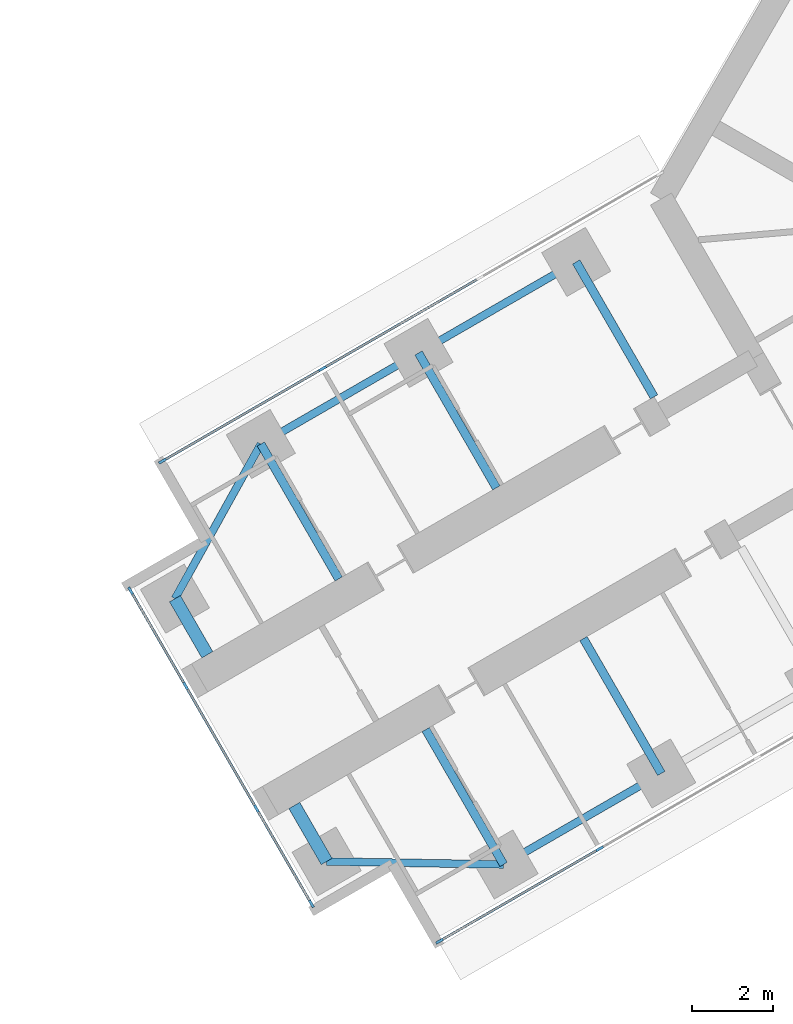
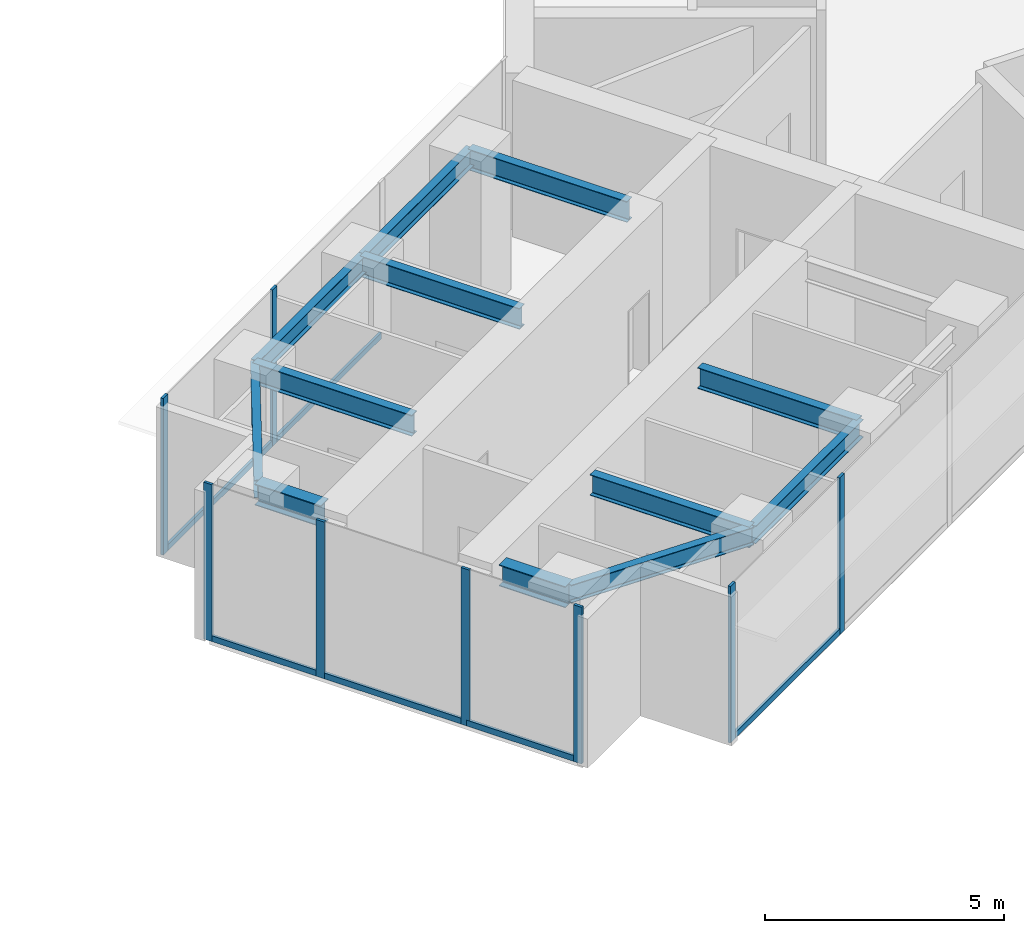
# One storey, part 3 of 23: 14 members, 12 beams, 3 elements without a shape of their own.
"""IFC4 building model written with IfcOpenShell, lengths in metres."""

from ifc_helpers import new_model, si_unit, direction, frame, origin, origin_2d, place, context, subcontext, project, spatial, rectangle, i_section, extrude, material, material_profile, profile_set, type_object, element, aggregate, save


model = new_model("IFC4")

# Units and contexts
model_context = context("Model", 3, precision=1e-05, world=origin(), true_north=direction((0.0, 1.0)))
body_context = subcontext(model_context, "Body", "Model", "MODEL_VIEW")
ifc_project = project(units=[si_unit("LENGTHUNIT", "METRE"), si_unit("AREAUNIT", "SQUARE_METRE"), si_unit("VOLUMEUNIT", "CUBIC_METRE"), si_unit("PLANEANGLEUNIT", "RADIAN"), si_unit("MASSUNIT", "GRAM", prefix="KILO")], contexts=[model_context])

# Site, building, storey
site_placement = place(None, origin())
site = spatial("IfcSite", under=ifc_project, at=site_placement, CompositionType="ELEMENT")
building_placement = place(site_placement, origin())
building = spatial("IfcBuilding", under=site, at=building_placement, Name="Upepo Twin Towers", CompositionType="ELEMENT")
storey_placement = place(building_placement, frame((0.0, 0.0, 157.5)))
storey = spatial("IfcBuildingStorey", under=building, at=storey_placement, Name="L38", CompositionType="ELEMENT", Elevation=157.5)

# Beams
ifc_material_1 = material(Name="Steel S355", Category="steel")
ifc_material_profile_1 = material_profile(ifc_material_1, i_section(OverallWidth=0.1904296875, OverallDepth=0.45703125, WebThickness=0.009033203125, FlangeThickness=0.014404296875, FilletRadius=0.01025390625, at=origin_2d()), Name="UB 457x191x74")
ifc_profile_set_1 = profile_set([ifc_material_profile_1], Name="Steel S355")
beam_type_1 = type_object("IfcBeamType", Name="Beam UB 457x191x74", PredefinedType="BEAM", material=ifc_profile_set_1)
beam_1_placement = place(storey_placement, frame((45.91162109375, -32.196044921875, 3.571533203125), z_axis=(-0.866031096941, -0.499990139034, 0.0), x_axis=(0.499990139034, -0.866031096941, 0.0)))
element("IfcBeam", 1, at=beam_1_placement, inside=storey, type_object=beam_type_1, Name="T2 edge beam BL 18.0-22.5", PredefinedType="BEAM", context=body_context, shape_type="SweptSolid", body=[
    extrude(i_section(OverallWidth=0.1904296875, OverallDepth=0.45703125, WebThickness=0.009033203125, FlangeThickness=0.014404296875, FilletRadius=0.01025390625, at=origin_2d()), origin(), (0.0, 0.0, 1.0), 4.5),
])
beam_2_placement = place(storey_placement, frame((42.014404296875, -34.446044921875, 3.571533203125), z_axis=(-0.999858804832, 0.016803880528, 0.0), x_axis=(-0.016803880528, -0.999858804832, 0.0)))
element("IfcBeam", 2, at=beam_2_placement, inside=storey, type_object=beam_type_1, Name="T2 nose edge beam BL", PredefinedType="BEAM", context=body_context, shape_type="SweptSolid", body=[
    extrude(i_section(OverallWidth=0.1904296875, OverallDepth=0.45703125, WebThickness=0.009033203125, FlangeThickness=0.014404296875, FilletRadius=0.01025390625, at=origin_2d()), origin(), (0.0, 0.0, 1.0), 4.373291015625),
])
beam_3_placement = place(storey_placement, frame((43.80859375, -19.553955078125, 3.571533203125), z_axis=(-0.866017533419, -0.500013631625, 0.0), x_axis=(0.500013631625, -0.866017533419, 0.0)))
element("IfcBeam", 3, at=beam_3_placement, inside=storey, type_object=beam_type_1, Name="T2 edge beam BR 13.5-18.0", PredefinedType="BEAM", context=body_context, shape_type="SweptSolid", body=[
    extrude(i_section(OverallWidth=0.1904296875, OverallDepth=0.45703125, WebThickness=0.009033203125, FlangeThickness=0.014404296875, FilletRadius=0.01025390625, at=origin_2d()), origin(), (0.0, 0.0, 1.0), 4.499755859375),
])
beam_4_placement = place(storey_placement, frame((39.91162109375, -21.803955078125, 3.571533203125), z_axis=(-0.866031096941, -0.499990139034, 0.0), x_axis=(0.499990139034, -0.866031096941, 0.0)))
element("IfcBeam", 4, at=beam_4_placement, inside=storey, type_object=beam_type_1, Name="T2 edge beam BR 18.0-22.5", PredefinedType="BEAM", context=body_context, shape_type="SweptSolid", body=[
    extrude(i_section(OverallWidth=0.1904296875, OverallDepth=0.45703125, WebThickness=0.009033203125, FlangeThickness=0.014404296875, FilletRadius=0.01025390625, at=origin_2d()), origin(), (0.0, 0.0, 1.0), 4.5),
])
beam_5_placement = place(storey_placement, frame((36.014404296875, -24.053955078125, 3.571533203125), z_axis=(-0.485363242752, -0.874312600038, 0.0), x_axis=(0.874312600038, -0.485363242752, 0.0)))
element("IfcBeam", 5, at=beam_5_placement, inside=storey, type_object=beam_type_1, Name="T2 nose edge beam BR", PredefinedType="BEAM", context=body_context, shape_type="SweptSolid", body=[
    extrude(i_section(OverallWidth=0.1904296875, OverallDepth=0.45703125, WebThickness=0.009033203125, FlangeThickness=0.014404296875, FilletRadius=0.01025390625, at=origin_2d()), origin(), (0.0, 0.0, 1.0), 4.373046875),
])
ifc_material_2 = material(Name="Steel S355", Category="steel")
ifc_material_profile_2 = material_profile(ifc_material_2, i_section(OverallWidth=0.209228515625, OverallDepth=0.533203125, WebThickness=0.010009765625, FlangeThickness=0.015625, FilletRadius=0.0126953125, at=origin_2d()), Name="UB 533x210x92")
ifc_profile_set_2 = profile_set([ifc_material_profile_2], Name="Steel S355")
beam_type_2 = type_object("IfcBeamType", Name="Beam UB 533x210x92", PredefinedType="BEAM", material=ifc_profile_set_2)
for number, where, z_axis, x_axis, name in (
    (6, (45.91162109375, -32.196044921875, 3.533447265625), (-0.500033517596, 0.866006051527, 0.0), (-0.866006051527, -0.500033517596, 0.0), "T2 girder BL at 18.0"),
    (7, (42.014404296875, -34.446044921875, 3.533447265625), (-0.500033517596, 0.866006051527, 0.0), (-0.866006051527, -0.500033517596, 0.0), "T2 girder BL at 22.5"),
    (8, (43.80859375, -19.553955078125, 3.533447265625), (0.500033517596, -0.866006051527, 0.0), (0.866006051527, 0.500033517596, 0.0), "T2 girder BR at 13.5"),
):
    element("IfcBeam", number, at=place(storey_placement, frame(where, z_axis=z_axis, x_axis=x_axis)), inside=storey, type_object=beam_type_2, Name=name, PredefinedType="BEAM", context=body_context, shape_type="SweptSolid", body=[
        extrude(i_section(OverallWidth=0.209228515625, OverallDepth=0.533203125, WebThickness=0.010009765625, FlangeThickness=0.015625, FilletRadius=0.0126953125, at=origin_2d()), origin(), (0.0, 0.0, 1.0), 3.849853515625),
    ])
beam_6_placement = place(storey_placement, frame((39.91162109375, -21.803955078125, 3.533447265625), z_axis=(0.499985955615, -0.866033512162, 0.0), x_axis=(0.866033512162, 0.499985955615, 0.0)))
element("IfcBeam", 9, at=beam_6_placement, inside=storey, type_object=beam_type_2, Name="T2 girder BR at 18.0", PredefinedType="BEAM", context=body_context, shape_type="SweptSolid", body=[
    extrude(i_section(OverallWidth=0.209228515625, OverallDepth=0.533203125, WebThickness=0.010009765625, FlangeThickness=0.015625, FilletRadius=0.0126953125, at=origin_2d()), origin(), (0.0, 0.0, 1.0), 3.849609375),
])
beam_7_placement = place(storey_placement, frame((36.014404296875, -24.053955078125, 3.533447265625), z_axis=(0.500033517596, -0.866006051527, 0.0), x_axis=(0.866006051527, 0.500033517596, 0.0)))
element("IfcBeam", 10, at=beam_7_placement, inside=storey, type_object=beam_type_2, Name="T2 girder BR at 22.5", PredefinedType="BEAM", context=body_context, shape_type="SweptSolid", body=[
    extrude(i_section(OverallWidth=0.209228515625, OverallDepth=0.533203125, WebThickness=0.010009765625, FlangeThickness=0.015625, FilletRadius=0.0126953125, at=origin_2d()), origin(), (0.0, 0.0, 1.0), 3.849853515625),
])
ifc_material_3 = material(Name="Steel S355", Category="steel")
ifc_material_profile_3 = material_profile(ifc_material_3, i_section(OverallWidth=0.31201171875, OverallDepth=0.54345703125, WebThickness=0.0126953125, FlangeThickness=0.020263671875, FilletRadius=0.0126953125, at=origin_2d()), Name="UB 533x312x150")
ifc_profile_set_3 = profile_set([ifc_material_profile_3], Name="Steel S355")
beam_type_3 = type_object("IfcBeamType", Name="Beam UB 533x312x150", PredefinedType="BEAM", material=ifc_profile_set_3)
for number, where, z_axis, x_axis, name in (
    (11, (37.641845703125, -34.37255859375, 3.5283203125), (-0.500061482766, 0.865989903783, 0.0), (-0.865989903783, -0.500061482766, 0.0), "T2 nose beam BL"),
    (12, (33.891845703125, -27.87744140625, 3.5283203125), (0.500061482766, -0.865989903783, 0.0), (0.865989903783, 0.500061482766, 0.0), "T2 nose beam BR"),
):
    element("IfcBeam", number, at=place(storey_placement, frame(where, z_axis=z_axis, x_axis=x_axis)), inside=storey, type_object=beam_type_3, Name=name, PredefinedType="BEAM", context=body_context, shape_type="SweptSolid", body=[
        extrude(i_section(OverallWidth=0.31201171875, OverallDepth=0.54345703125, WebThickness=0.0126953125, FlangeThickness=0.020263671875, FilletRadius=0.0126953125, at=origin_2d()), origin(), (0.0, 0.0, 1.0), 1.599853515625),
    ])

# Curtain wall, members
ifc_material_4 = material(Name="Aluminium and fritted glass", Category="aluminium")
curtain_wall_type = type_object("IfcCurtainWallType", Name="Tower curtain wall TW2, fritted glass", PredefinedType="NOTDEFINED", material=ifc_material_4)
curtain_wall_1_placement = place(storey_placement, origin())
curtain_wall_1 = element("IfcCurtainWall", 13, at=curtain_wall_1_placement, inside=storey, type_object=curtain_wall_type, Name="T2 L38 wing B flank L curtain wall", PredefinedType="NOTDEFINED")
ifc_material_5 = material(Name="Aluminium mullion", Category="aluminium")
ifc_material_profile_4 = material_profile(ifc_material_5, rectangle(XDim=0.06494140625, YDim=0.199951171875, at=origin_2d()), Name="MULLION 65x200")
ifc_profile_set_4 = profile_set([ifc_material_profile_4], Name="Aluminium mullion")
member_type_1 = type_object("IfcMemberType", Name="Mullion 65x200 TW2", PredefinedType="MULLION", material=ifc_profile_set_4)
member_1_placement = place(storey_placement, frame((44.387939453125, -34.057373046875, 0.0), z_axis=(0.0, 0.0, 1.0), x_axis=(0.500000010308, -0.866025397833, 0.0)))
member_1 = element("IfcMember", 14, at=member_1_placement, type_object=member_type_1, Name="T2 L38 wing B flank L curtain wall mullion 3", PredefinedType="MULLION", context=body_context, shape_type="SweptSolid", body=[
    extrude(rectangle(XDim=0.06494140625, YDim=0.199951171875, at=origin_2d()), origin(), (0.0, 0.0, 1.0), 4.0),
])
member_2_placement = place(storey_placement, frame((40.432373046875, -36.341064453125, 0.0), z_axis=(0.0, 0.0, 1.0), x_axis=(0.500000010308, -0.866025397833, 0.0)))
member_2 = element("IfcMember", 15, at=member_2_placement, type_object=member_type_1, Name="T2 L38 wing B flank L curtain wall mullion 4", PredefinedType="MULLION", context=body_context, shape_type="SweptSolid", body=[
    extrude(rectangle(XDim=0.06494140625, YDim=0.199951171875, at=origin_2d()), origin(), (0.0, 0.0, 1.0), 4.0),
])

curtain_wall_2_placement = place(storey_placement, origin())
curtain_wall_2 = element("IfcCurtainWall", 16, at=curtain_wall_2_placement, inside=storey, type_object=curtain_wall_type, Name="T2 L38 wing B flank R curtain wall", PredefinedType="NOTDEFINED")
member_3_placement = place(storey_placement, frame((33.58251953125, -24.4765625, 0.0), z_axis=(0.0, 0.0, 1.0), x_axis=(-0.500000010308, 0.866025397833, 0.0)))
member_3 = element("IfcMember", 17, at=member_3_placement, type_object=member_type_1, Name="T2 L38 wing B flank R curtain wall mullion 1", PredefinedType="MULLION", context=body_context, shape_type="SweptSolid", body=[
    extrude(rectangle(XDim=0.06494140625, YDim=0.199951171875, at=origin_2d()), origin(), (0.0, 0.0, 1.0), 4.0),
])
member_4_placement = place(storey_placement, frame((37.5380859375, -22.192626953125, 0.0), z_axis=(0.0, 0.0, 1.0), x_axis=(-0.500000010308, 0.866025397833, 0.0)))
member_4 = element("IfcMember", 18, at=member_4_placement, type_object=member_type_1, Name="T2 L38 wing B flank R curtain wall mullion 2", PredefinedType="MULLION", context=body_context, shape_type="SweptSolid", body=[
    extrude(rectangle(XDim=0.06494140625, YDim=0.199951171875, at=origin_2d()), origin(), (0.0, 0.0, 1.0), 4.0),
])

curtain_wall_3_placement = place(storey_placement, origin())
curtain_wall_3 = element("IfcCurtainWall", 19, at=curtain_wall_3_placement, inside=storey, type_object=curtain_wall_type, Name="T2 L38 wing B nose curtain wall", PredefinedType="NOTDEFINED")
member_5_placement = place(storey_placement, frame((32.796875, -27.68115234375, 0.0), z_axis=(0.0, 0.0, 1.0), x_axis=(0.866025386174, 0.500000030502, 0.0)))
member_5 = element("IfcMember", 20, at=member_5_placement, type_object=member_type_1, Name="T2 L38 wing B nose curtain wall mullion 1", PredefinedType="MULLION", context=body_context, shape_type="SweptSolid", body=[
    extrude(rectangle(XDim=0.06494140625, YDim=0.199951171875, at=origin_2d()), origin(), (0.0, 0.0, 1.0), 4.0),
])
member_6_placement = place(storey_placement, frame((34.15576171875, -30.034423828125, 0.0), z_axis=(0.0, 0.0, 1.0), x_axis=(0.866025386174, 0.500000030502, 0.0)))
member_6 = element("IfcMember", 21, at=member_6_placement, type_object=member_type_1, Name="T2 L38 wing B nose curtain wall mullion 2", PredefinedType="MULLION", context=body_context, shape_type="SweptSolid", body=[
    extrude(rectangle(XDim=0.06494140625, YDim=0.199951171875, at=origin_2d()), origin(), (0.0, 0.0, 1.0), 4.0),
])
member_7_placement = place(storey_placement, frame((35.90576171875, -33.0654296875, 0.0), z_axis=(0.0, 0.0, 1.0), x_axis=(0.866025386174, 0.500000030502, 0.0)))
member_7 = element("IfcMember", 22, at=member_7_placement, type_object=member_type_1, Name="T2 L38 wing B nose curtain wall mullion 3", PredefinedType="MULLION", context=body_context, shape_type="SweptSolid", body=[
    extrude(rectangle(XDim=0.06494140625, YDim=0.199951171875, at=origin_2d()), origin(), (0.0, 0.0, 1.0), 4.0),
])
member_8_placement = place(storey_placement, frame((37.264404296875, -35.4189453125, 0.0), z_axis=(0.0, 0.0, 1.0), x_axis=(0.866025386174, 0.500000030502, 0.0)))
member_8 = element("IfcMember", 23, at=member_8_placement, type_object=member_type_1, Name="T2 L38 wing B nose curtain wall mullion 4", PredefinedType="MULLION", context=body_context, shape_type="SweptSolid", body=[
    extrude(rectangle(XDim=0.06494140625, YDim=0.199951171875, at=origin_2d()), origin(), (0.0, 0.0, 1.0), 4.0),
])

# Member
ifc_material_6 = material(Name="Aluminium transom", Category="aluminium")
ifc_material_profile_5 = material_profile(ifc_material_6, rectangle(XDim=0.06494140625, YDim=0.14990234375, at=origin_2d()), Name="TRANSOM 65x150")
ifc_profile_set_5 = profile_set([ifc_material_profile_5], Name="Aluminium transom")
member_type_2 = type_object("IfcMemberType", Name="Transom 65x150 TW2", PredefinedType="USERDEFINED", material=ifc_profile_set_5)
member_9_placement = place(storey_placement, frame((44.35986328125, -34.073486328125, 0.074951171875), z_axis=(-0.866035699072, -0.499982167615, 0.0), x_axis=(0.499982167615, -0.866035699072, 0.0)))
member_9 = element("IfcMember", 24, at=member_9_placement, type_object=member_type_2, Name="T2 L38 wing B flank L curtain wall transom 3", ObjectType="TRANSOM", PredefinedType="USERDEFINED", context=body_context, shape_type="SweptSolid", body=[
    extrude(rectangle(XDim=0.06494140625, YDim=0.14990234375, at=origin_2d()), origin(), (0.0, 0.0, 1.0), 4.502685546875),
])

aggregate(curtain_wall_1, [member_1, member_2, member_9])

member_10_placement = place(storey_placement, frame((33.610595703125, -24.460205078125, 0.074951171875), z_axis=(0.866022143554, 0.500005646842, 0.0), x_axis=(-0.500005646842, 0.866022143554, 0.0)))
member_10 = element("IfcMember", 25, at=member_10_placement, type_object=member_type_2, Name="T2 L38 wing B flank R curtain wall transom 1", ObjectType="TRANSOM", PredefinedType="USERDEFINED", context=body_context, shape_type="SweptSolid", body=[
    extrude(rectangle(XDim=0.06494140625, YDim=0.14990234375, at=origin_2d()), origin(), (0.0, 0.0, 1.0), 4.50244140625),
])

member_11_placement = place(storey_placement, frame((37.566162109375, -22.176513671875, 0.074951171875), z_axis=(0.866022410713, 0.500005184116, 0.0), x_axis=(-0.500005184116, 0.866022410713, 0.0)))
member_11 = element("IfcMember", 26, at=member_11_placement, type_object=member_type_2, Name="T2 L38 wing B flank R curtain wall transom 2", ObjectType="TRANSOM", PredefinedType="USERDEFINED", context=body_context, shape_type="SweptSolid", body=[
    extrude(rectangle(XDim=0.06494140625, YDim=0.14990234375, at=origin_2d()), origin(), (0.0, 0.0, 1.0), 4.43505859375),
])

aggregate(curtain_wall_2, [member_3, member_4, member_10, member_11])

member_12_placement = place(storey_placement, frame((32.813232421875, -27.709228515625, 0.074951171875), z_axis=(0.499980071345, -0.866036909293, 0.0), x_axis=(0.866036909293, 0.499980071345, 0.0)))
member_12 = element("IfcMember", 27, at=member_12_placement, type_object=member_type_2, Name="T2 L38 wing B nose curtain wall transom 1", ObjectType="TRANSOM", PredefinedType="USERDEFINED", context=body_context, shape_type="SweptSolid", body=[
    extrude(rectangle(XDim=0.06494140625, YDim=0.14990234375, at=origin_2d()), origin(), (0.0, 0.0, 1.0), 2.65234375),
])

member_13_placement = place(storey_placement, frame((34.171875, -30.0625, 0.074951171875), z_axis=(0.499999305434, -0.866025804792, 0.0), x_axis=(0.866025804792, 0.499999305434, 0.0)))
member_13 = element("IfcMember", 28, at=member_13_placement, type_object=member_type_2, Name="T2 L38 wing B nose curtain wall transom 2", ObjectType="TRANSOM", PredefinedType="USERDEFINED", context=body_context, shape_type="SweptSolid", body=[
    extrude(rectangle(XDim=0.06494140625, YDim=0.14990234375, at=origin_2d()), origin(), (0.0, 0.0, 1.0), 3.43505859375),
])

member_14_placement = place(storey_placement, frame((35.921875, -33.09375, 0.074951171875), z_axis=(0.500049101008, -0.865997053448, 0.0), x_axis=(0.865997053448, 0.500049101008, 0.0)))
member_14 = element("IfcMember", 29, at=member_14_placement, type_object=member_type_2, Name="T2 L38 wing B nose curtain wall transom 3", ObjectType="TRANSOM", PredefinedType="USERDEFINED", context=body_context, shape_type="SweptSolid", body=[
    extrude(rectangle(XDim=0.06494140625, YDim=0.14990234375, at=origin_2d()), origin(), (0.0, 0.0, 1.0), 2.652587890625),
])

aggregate(curtain_wall_3, [member_5, member_6, member_7, member_8, member_12, member_13, member_14])

save(model, "model.ifc")
